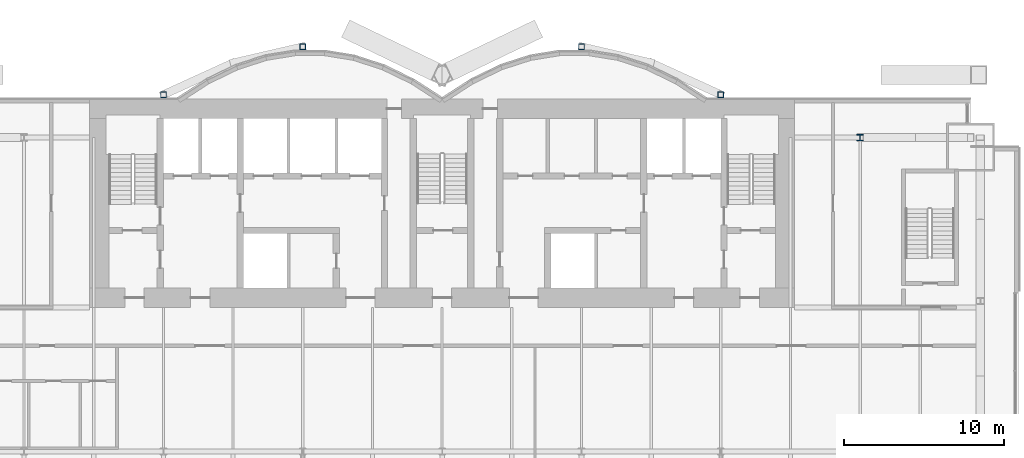
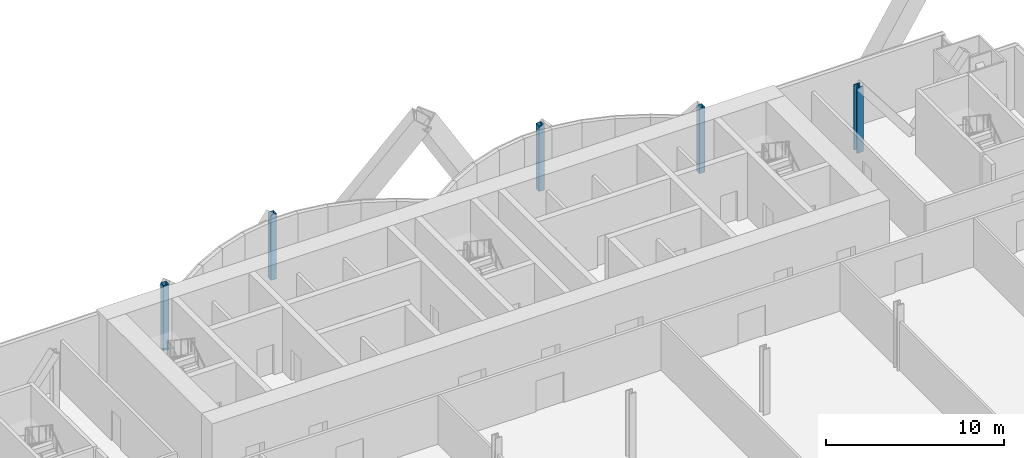
# One storey, part 2 of 21: 5 columns.
"""IFC4 building model written with IfcOpenShell, lengths in metres."""

from ifc_helpers import new_model, si_unit, direction, frame, origin, origin_2d, place, context, subcontext, project, spatial, hollow_rectangle, i_section, extrude, material, material_profile, profile_set, type_object, element, save


model = new_model("IFC4")

# Units and contexts
model_context = context("Model", 3, precision=1e-05, world=origin(), true_north=direction((0.0, 1.0)))
body_context = subcontext(model_context, "Body", "Model", "MODEL_VIEW")
ifc_project = project(units=[si_unit("LENGTHUNIT", "METRE"), si_unit("AREAUNIT", "SQUARE_METRE"), si_unit("VOLUMEUNIT", "CUBIC_METRE"), si_unit("PLANEANGLEUNIT", "RADIAN"), si_unit("MASSUNIT", "GRAM", prefix="KILO")], contexts=[model_context])

# Site, building, storey
site_placement = place(None, origin())
site = spatial("IfcSite", under=ifc_project, at=site_placement, CompositionType="ELEMENT")
building_placement = place(site_placement, origin())
building = spatial("IfcBuilding", under=site, at=building_placement, Name="Bicima Exchange Tower", CompositionType="ELEMENT")
storey_placement = place(building_placement, frame((0.0, 0.0, 80.0)))
storey = spatial("IfcBuildingStorey", under=building, at=storey_placement, Name="L16", CompositionType="ELEMENT", Elevation=80.0)

# Columns
ifc_material_1 = material(Name="Steel ASTM A992 Gr 50", Category="steel")
ifc_material_profile_1 = material_profile(ifc_material_1, i_section(OverallWidth=0.406494140625, OverallDepth=0.41650390625, WebThickness=0.030029296875, FlangeThickness=0.048095703125, at=origin_2d()))
ifc_profile_set_1 = profile_set([ifc_material_profile_1], Name="Steel ASTM A992 Gr 50")
column_type_1 = type_object("IfcColumnType", Name="Perimeter column W14x257", PredefinedType="COLUMN", material=ifc_profile_set_1)
column_placement = place(storey_placement, frame((26.10009765625, -2.39990234375, 0.0), z_axis=(0.0, 0.0, 1.0), x_axis=(1.0, 0.0, 0.0)))
element("IfcColumn", 1, at=column_placement, inside=storey, type_object=column_type_1, Name="Perimeter column grav+26.1r", PredefinedType="COLUMN", context=body_context, shape_type="SweptSolid", body=[
    extrude(i_section(OverallWidth=0.406494140625, OverallDepth=0.41650390625, WebThickness=0.030029296875, FlangeThickness=0.048095703125, at=origin_2d()), origin(), (0.0, 0.0, 1.0), 4.5),
])
ifc_material_2 = material(Name="Steel ASTM A572 Gr 50", Category="steel")
ifc_material_profile_2 = material_profile(ifc_material_2, hollow_rectangle(XDim=0.355712890625, YDim=0.355712890625, WallThickness=0.01171875, at=origin_2d()))
ifc_profile_set_2 = profile_set([ifc_material_profile_2], Name="Steel ASTM A572 Gr 50")
column_type_2 = type_object("IfcColumnType", Name="Rear pilaster HSS14x14x1/2", PredefinedType="COLUMN", material=ifc_profile_set_2)
for number, where, z_axis, x_axis, name in (
    (2, (-8.699951171875, 3.26904296875, 0.0), (0.0, 0.0, 1.0), (1.0, 0.0, 0.0), "Rear pilaster rexo-8.7r"),
    (3, (-17.39990234375, 0.278076171875, 0.0), (0.0, 0.0, 1.0), (1.0, 0.0, 0.0), "Rear pilaster rexo-17.4r"),
    (4, (8.699951171875, 3.26904296875, 0.0), (0.0, 0.0, 1.0), (1.0, 0.0, 0.0), "Rear pilaster rexo+8.7r"),
    (5, (17.39990234375, 0.278076171875, 0.0), (0.0, 0.0, 1.0), (1.0, 0.0, 0.0), "Rear pilaster rexo+17.4r"),
):
    element("IfcColumn", number, at=place(storey_placement, frame(where, z_axis=z_axis, x_axis=x_axis)), inside=storey, type_object=column_type_2, Name=name, PredefinedType="COLUMN", context=body_context, shape_type="SweptSolid", body=[
        extrude(hollow_rectangle(XDim=0.355712890625, YDim=0.355712890625, WallThickness=0.01171875, at=origin_2d()), origin(), (0.0, 0.0, 1.0), 4.5),
    ])

save(model, "model.ifc")
